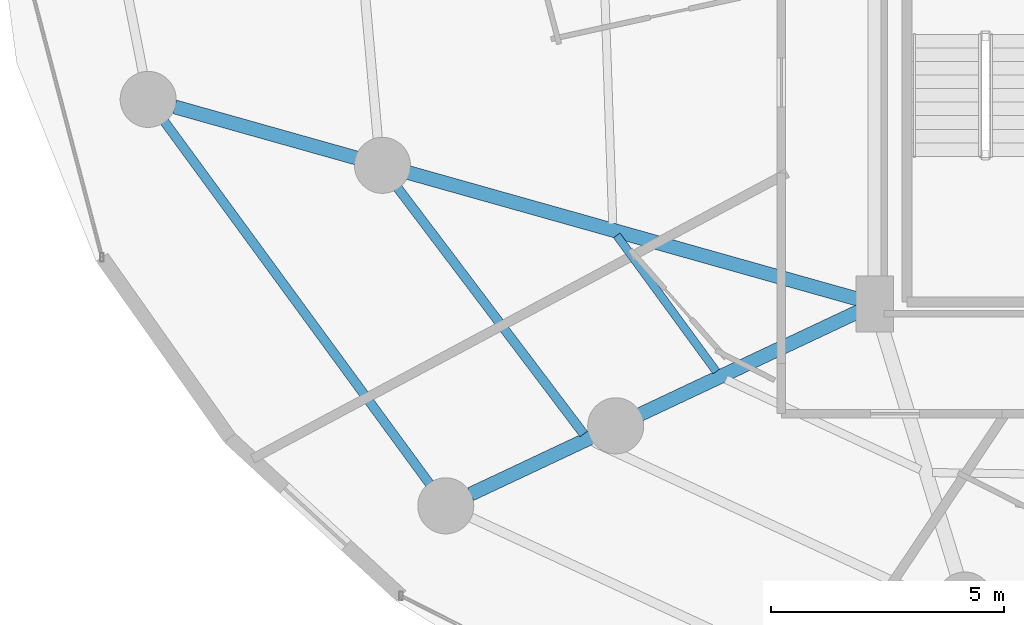
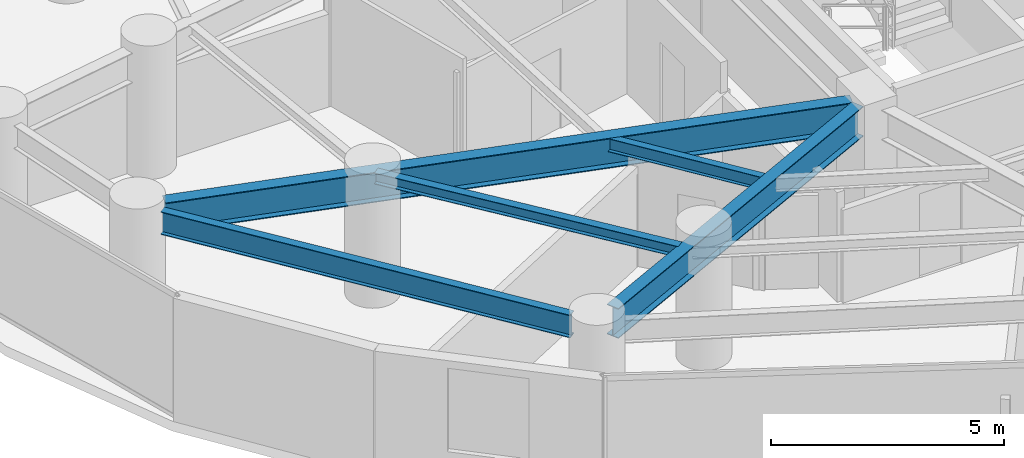
# One storey, part 4 of 34: 5 beams.
"""IFC4 building model written with IfcOpenShell, lengths in metres."""

import ifcopenshell
import ifcopenshell.guid

model = None  # the IFC model being written
_history = None  # IfcOwnerHistory: only IFC2X3 demands one
_inside = {}  # id of a spatial element -> (the spatial element, [elements in it])
_under = {}  # id of a project, library or spatial element -> (it, [spatial elements below it])
_declared = {}  # id of a project -> (the project, [libraries it declares])
_typed = {}  # id of a type object -> (the type object, [elements of that type])
_made_of = {}  # id of a material, layer set ... -> (it, [elements and type objects made of it])


def new_model(schema):
    """Start an empty IFC model of exactly this schema.

    Asked for "IFC4X3", IfcOpenShell would pick the latest addendum, in which some entities
    have other attributes; the version numbers below select the first issue.
    IFC2X3 requires an IfcOwnerHistory on every rooted entity: one is made here for all.
    """
    global model, _history
    if schema == "IFC4X3":
        model = ifcopenshell.file(schema_version=(4, 3, 0, 0))
    else:
        model = ifcopenshell.file(schema=schema)
    _inside.clear()
    _under.clear()
    _declared.clear()
    _typed.clear()
    _made_of.clear()
    _history = None
    if model.schema == "IFC2X3":
        org = make("IfcOrganization", Name="unknown")
        user = make(
            "IfcPersonAndOrganization",
            ThePerson=make("IfcPerson", FamilyName="unknown"),
            TheOrganization=org,
        )
        app = make(
            "IfcApplication",
            ApplicationDeveloper=org,
            Version="unknown",
            ApplicationFullName="unknown",
            ApplicationIdentifier="unknown",
        )
        _history = make(
            "IfcOwnerHistory",
            OwningUser=user,
            OwningApplication=app,
            ChangeAction="ADDED",
            CreationDate=0,
        )
    return model


def make(cls, **values):
    """One entity of the class cls with the attributes given. An attribute that is None is left unset."""
    return model.create_entity(
        cls, **{name: value for name, value in values.items() if value is not None}
    )


def rooted(cls, **values):
    """An entity with a GlobalId (a new one), such as an element, a storey or a relation."""
    return make(cls, GlobalId=ifcopenshell.guid.new(), OwnerHistory=_history, **values)


def si_unit(unit_type, name, prefix=None):
    """IfcSIUnit, for example si_unit("LENGTHUNIT", "METRE", prefix="MILLI")."""
    return make("IfcSIUnit", UnitType=unit_type, Prefix=prefix, Name=name)


def assignment(units):
    """IfcUnitAssignment: the units of a project."""
    return None if units is None else make("IfcUnitAssignment", Units=units)


def point(xyz):
    """IfcCartesianPoint."""
    return None if xyz is None else make("IfcCartesianPoint", Coordinates=xyz)


def direction(xyz):
    """IfcDirection."""
    return None if xyz is None else make("IfcDirection", DirectionRatios=xyz)


def frame(location, z_axis=None, x_axis=None):
    """IfcAxis2Placement3D, a coordinate frame: its origin and axes. An axis left out is left unset."""
    return make(
        "IfcAxis2Placement3D",
        Location=point(location),
        Axis=direction(z_axis),
        RefDirection=direction(x_axis),
    )


def frame_2d(location, x_axis=None):
    """IfcAxis2Placement2D, a coordinate frame in the plane: its origin and x axis."""
    return make(
        "IfcAxis2Placement2D", Location=point(location), RefDirection=direction(x_axis)
    )


def origin():
    """The frame at (0, 0, 0) with its axes left unset."""
    return frame((0.0, 0.0, 0.0))


def origin_2d():
    """The frame at (0, 0) in the plane with its x axis left unset."""
    return frame_2d((0.0, 0.0))


def place(relative_to, where):
    """IfcLocalPlacement: puts the frame where relative to a parent placement (None: the world)."""
    return make(
        "IfcLocalPlacement", PlacementRelTo=relative_to, RelativePlacement=where
    )


def context(
    kind, dimensions, precision=None, world=None, true_north=None, identifier=None
):
    """IfcGeometricRepresentationContext, for example the 3D "Model" context."""
    return make(
        "IfcGeometricRepresentationContext",
        ContextIdentifier=identifier,
        ContextType=kind,
        CoordinateSpaceDimension=dimensions,
        Precision=precision,
        WorldCoordinateSystem=world,
        TrueNorth=true_north,
    )


def subcontext(parent, identifier, kind, view, scale=None):
    """IfcGeometricRepresentationSubContext, for example "Body" below "Model"."""
    return make(
        "IfcGeometricRepresentationSubContext",
        ContextIdentifier=identifier,
        ContextType=kind,
        ParentContext=parent,
        TargetScale=scale,
        TargetView=view,
    )


def project(units=None, contexts=None):
    """IfcProject with its units and contexts."""
    return rooted(
        "IfcProject",
        Name="project",
        RepresentationContexts=contexts,
        UnitsInContext=assignment(units),
    )


def spatial(cls, under=None, at=None, **own):
    """A site, building, storey or space (cls), placed at a placement, below another one or the project."""
    s = rooted(cls, ObjectPlacement=at, **own)
    if under is not None:
        _under.setdefault(under.id(), (under, []))[1].append(s)
    return s


def profile(cls, at=None, kind="AREA", **sizes):
    """A parametric profile (cls). Its sizes go by their IFC names, for example OverallWidth=200.0."""
    return make(cls, ProfileType=kind, Position=at, **sizes)


def i_section(**sizes):
    """IfcIShapeProfileDef."""
    return profile("IfcIShapeProfileDef", **sizes)


def extrude(swept, where, along, depth):
    """IfcExtrudedAreaSolid: the profile swept, set in the frame where, extruded along a direction by depth."""
    return make(
        "IfcExtrudedAreaSolid",
        SweptArea=swept,
        Position=where,
        ExtrudedDirection=direction(along),
        Depth=depth,
    )


def shape(context_of_items, identifier, shape_type, items):
    """IfcShapeRepresentation: the items that make up one representation, for example the "Body"."""
    return make(
        "IfcShapeRepresentation",
        ContextOfItems=context_of_items,
        RepresentationIdentifier=identifier,
        RepresentationType=shape_type,
        Items=items,
    )


def material(Name=None, Category=None):
    """IfcMaterial."""
    return make("IfcMaterial", Name=Name, Category=Category)


def material_profile(
    of_material, cross_section, Name=None, Category=None, Priority=None
):
    """IfcMaterialProfile: a cross section and its material."""
    return make(
        "IfcMaterialProfile",
        Name=Name,
        Material=of_material,
        Profile=cross_section,
        Priority=Priority,
        Category=Category,
    )


def profile_set(profiles, Name=None, composite=None):
    """IfcMaterialProfileSet."""
    return make(
        "IfcMaterialProfileSet",
        Name=Name,
        MaterialProfiles=profiles,
        CompositeProfile=composite,
    )


def made_of(thing, what):
    """Note that an element or type object is made of a material, layer set ...; save() writes the relation."""
    if what is not None:
        _made_of.setdefault(what.id(), (what, []))[1].append(thing)
    return thing


def type_object(cls, material=None, **own):
    """A type object (cls), such as IfcWallType, which elements share."""
    return made_of(rooted(cls, **own), material)


def element(
    cls,
    number,
    at=None,
    inside=None,
    cuts=None,
    type_object=None,
    material=None,
    context=None,
    identifier="Body",
    shape_type=None,
    held_by="IfcProductDefinitionShape",
    body=None,
    shapes=None,
    **own,
):
    """One element of the class cls, such as IfcWall. Its Tag is "e" and its number.

    at: its placement. inside: the storey or other place that contains it. cuts: it is an
    opening in that element (IfcRelVoidsElement). A single representation is given by context,
    identifier, shape_type and body (its items); several are given by shapes. held_by: the class
    of the entity that holds the representations. save() writes the other relations.
    """
    e = rooted(cls, Tag="e%d" % number, ObjectPlacement=at, **own)
    if body is not None:
        shapes = [shape(context, identifier, shape_type, body)]
    if shapes is not None:
        e.Representation = make(held_by, Representations=shapes)
    if inside is not None:
        _inside.setdefault(inside.id(), (inside, []))[1].append(e)
    if cuts is not None:
        rooted(
            "IfcRelVoidsElement", RelatingBuildingElement=cuts, RelatedOpeningElement=e
        )
    if type_object is not None:
        _typed.setdefault(type_object.id(), (type_object, []))[1].append(e)
    return made_of(e, material)


def aggregate(whole, parts):
    """IfcRelAggregates: a whole, such as a stair, and the parts it consists of."""
    return rooted("IfcRelAggregates", RelatingObject=whole, RelatedObjects=parts)


def save(model, path):
    """Write the relations noted so far, then the file.

    IfcRelAggregates (storeys below a building ...), IfcRelContainedInSpatialStructure (elements
    in a storey), IfcRelDefinesByType, IfcRelAssociatesMaterial and IfcRelDeclares: one each for
    every whole, place, type object, material and project.
    """
    for whole, parts in _under.values():
        aggregate(whole, parts)
    for where, things in _inside.values():
        rooted(
            "IfcRelContainedInSpatialStructure",
            RelatedElements=things,
            RelatingStructure=where,
        )
    for kind, things in _typed.values():
        rooted("IfcRelDefinesByType", RelatedObjects=things, RelatingType=kind)
    for what, things in _made_of.values():
        rooted("IfcRelAssociatesMaterial", RelatedObjects=things, RelatingMaterial=what)
    for by, libraries in _declared.values():
        rooted("IfcRelDeclares", RelatingContext=by, RelatedDefinitions=libraries)
    model.write(path)


model = new_model("IFC4")

# Units and contexts
model_context = context("Model", 3, precision=1e-05, world=origin(), true_north=direction((0.0, 1.0)))
body_context = subcontext(model_context, "Body", "Model", "MODEL_VIEW")
ifc_project = project(units=[si_unit("LENGTHUNIT", "METRE"), si_unit("AREAUNIT", "SQUARE_METRE"), si_unit("VOLUMEUNIT", "CUBIC_METRE"), si_unit("PLANEANGLEUNIT", "RADIAN"), si_unit("MASSUNIT", "GRAM", prefix="KILO")], contexts=[model_context])

# Site, building, storey
site_placement = place(None, origin())
site = spatial("IfcSite", under=ifc_project, at=site_placement, CompositionType="ELEMENT")
building_placement = place(site_placement, origin())
building = spatial("IfcBuilding", under=site, at=building_placement, Name="Vorneva Point Tower", CompositionType="ELEMENT")
storey_placement = place(building_placement, frame((0.0, 0.0, 62.5)))
storey = spatial("IfcBuildingStorey", under=building, at=storey_placement, Name="L16", CompositionType="ELEMENT", Elevation=62.5)

# Beams
ifc_material = material(Name="Steel S355", Category="steel")
ifc_material_profile_1 = material_profile(ifc_material, i_section(OverallWidth=0.300048828125, OverallDepth=0.7880859375, WebThickness=0.014404296875, FlangeThickness=0.02197265625, at=origin_2d()), Name="80Sh1")
ifc_profile_set_1 = profile_set([ifc_material_profile_1], Name="Steel S355")
beam_type_1 = type_object("IfcBeamType", Name="BM-GRD-80Sh1", PredefinedType="USERDEFINED", material=ifc_profile_set_1)
beam_1_placement = place(storey_placement, frame((12.254150390625, 20.67041015625, 2.845947265625), z_axis=(0.962601076089, -0.270922808772, 0.0), x_axis=(0.270922808772, 0.962601076089, 0.0)))
element("IfcBeam", 1, at=beam_1_placement, inside=storey, type_object=beam_type_1, Name="L16 Radial Primary Girder 10", ObjectType="GIRDER", PredefinedType="USERDEFINED", context=body_context, shape_type="SweptSolid", body=[
    extrude(i_section(OverallWidth=0.300048828125, OverallDepth=0.7880859375, WebThickness=0.014404296875, FlangeThickness=0.02197265625, at=origin_2d()), origin(), (0.0, 0.0, 1.0), 15.23828125),
])
beam_2_placement = place(storey_placement, frame((18.59326171875, 12.37451171875, 2.845947265625), z_axis=(0.904749139553, 0.425944825627, 0.0), x_axis=(-0.425944825627, 0.904749139553, 0.0)))
element("IfcBeam", 2, at=beam_2_placement, inside=storey, type_object=beam_type_1, Name="L16 Radial Primary Girder 11", ObjectType="GIRDER", PredefinedType="USERDEFINED", context=body_context, shape_type="SweptSolid", body=[
    extrude(i_section(OverallWidth=0.300048828125, OverallDepth=0.7880859375, WebThickness=0.014404296875, FlangeThickness=0.02197265625, at=origin_2d()), origin(), (0.0, 0.0, 1.0), 9.22802734375),
])
ifc_material_profile_2 = material_profile(ifc_material, i_section(OverallWidth=0.199951171875, OverallDepth=0.291015625, WebThickness=0.008056640625, FlangeThickness=0.010986328125, at=origin_2d()), Name="30Sh1")
ifc_profile_set_2 = profile_set([ifc_material_profile_2], Name="Steel S355")
beam_type_2 = type_object("IfcBeamType", Name="BM-SEC-30Sh1", PredefinedType="BEAM", material=ifc_profile_set_2)
beam_3_placement = place(storey_placement, frame((16.73779296875, 19.32177734375, 3.094482421875), z_axis=(0.603030282925, -0.797718294811, 0.0), x_axis=(0.797718294811, 0.603030282925, 0.0)))
element("IfcBeam", 3, at=beam_3_placement, inside=storey, type_object=beam_type_2, Name="L16 Secondary Floor Beam 1.10", PredefinedType="BEAM", context=body_context, shape_type="SweptSolid", body=[
    extrude(i_section(OverallWidth=0.199951171875, OverallDepth=0.291015625, WebThickness=0.008056640625, FlangeThickness=0.010986328125, at=origin_2d()), origin(), (0.0, 0.0, 1.0), 7.0927734375),
])
ifc_material_profile_3 = material_profile(ifc_material, i_section(OverallWidth=0.174072265625, OverallDepth=0.345947265625, WebThickness=0.006103515625, FlangeThickness=0.009033203125, at=origin_2d()), Name="35B1")
ifc_profile_set_3 = profile_set([ifc_material_profile_3], Name="Steel S355")
beam_type_3 = type_object("IfcBeamType", Name="BM-SEC-35B1", PredefinedType="BEAM", material=ifc_profile_set_3)
beam_4_placement = place(storey_placement, frame((21.723388671875, 17.9169921875, 3.06689453125), z_axis=(0.590275873725, -0.807201581328, 0.0), x_axis=(0.807201581328, 0.590275873725, 0.0)))
element("IfcBeam", 4, at=beam_4_placement, inside=storey, type_object=beam_type_3, Name="L16 Secondary Floor Beam 2.10", PredefinedType="BEAM", context=body_context, shape_type="SweptSolid", body=[
    extrude(i_section(OverallWidth=0.174072265625, OverallDepth=0.345947265625, WebThickness=0.006103515625, FlangeThickness=0.009033203125, at=origin_2d()), origin(), (0.0, 0.0, 1.0), 3.611572265625),
])
ifc_material_profile_4 = material_profile(ifc_material, i_section(OverallWidth=0.198974609375, OverallDepth=0.595947265625, WebThickness=0.010009765625, FlangeThickness=0.014892578125, at=origin_2d()), Name="60B1")
ifc_profile_set_4 = profile_set([ifc_material_profile_4], Name="Steel S355")
beam_type_4 = type_object("IfcBeamType", Name="BM-SPN-60B1", PredefinedType="SPANDREL", material=ifc_profile_set_4)
beam_5_placement = place(storey_placement, frame((12.03369140625, 20.357666015625, 2.94189453125), z_axis=(0.590713179556, -0.806881614302, 0.0), x_axis=(0.806881614302, 0.590713179556, 0.0)))
element("IfcBeam", 5, at=beam_5_placement, inside=storey, type_object=beam_type_4, Name="L16 Perimeter Spandrel Ring Beam 10", PredefinedType="SPANDREL", context=body_context, shape_type="SweptSolid", body=[
    extrude(i_section(OverallWidth=0.198974609375, OverallDepth=0.595947265625, WebThickness=0.010009765625, FlangeThickness=0.014892578125, at=origin_2d()), origin(), (0.0, 0.0, 1.0), 9.619140625),
])

save(model, "model.ifc")
